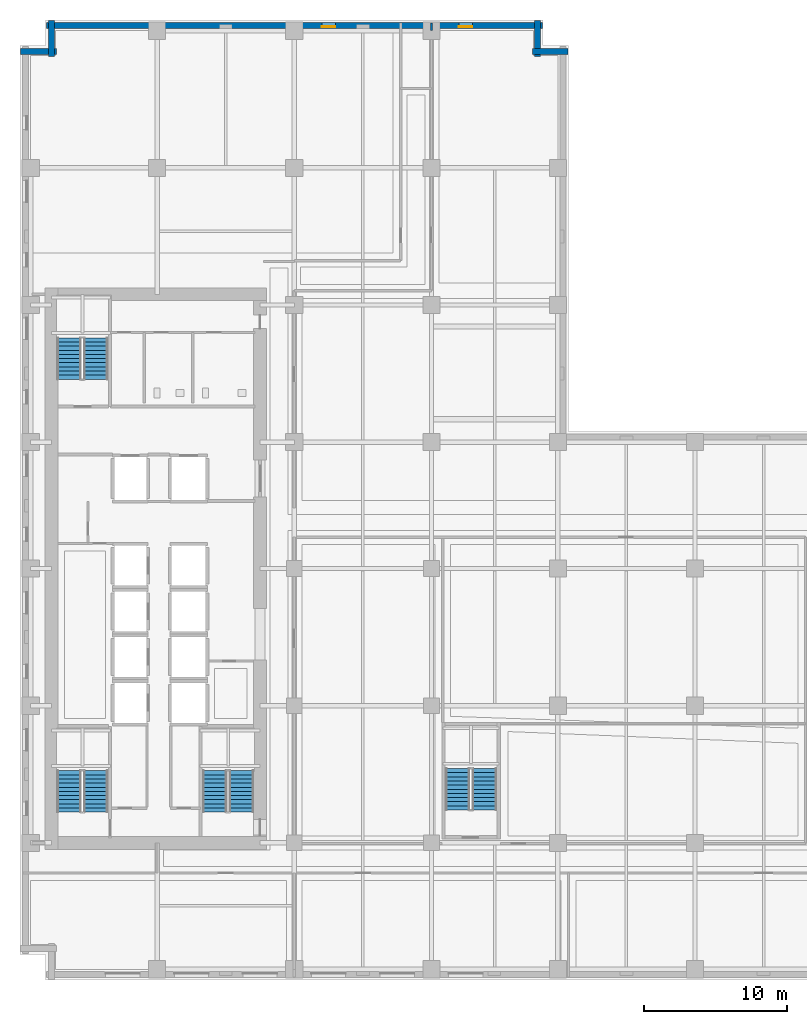
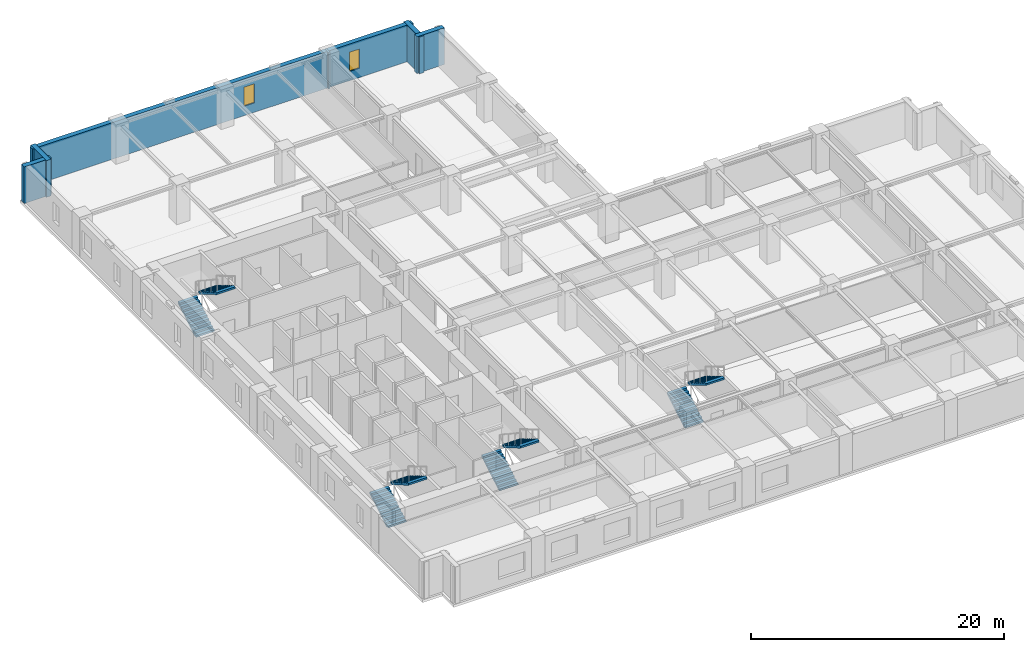
# One storey, part 8 of 13: 8 stair flights, 6 walls, 2 windows, 2 openings, 4 elements without a shape of their own.
"""IFC4 building model written with IfcOpenShell, lengths in metres."""

from ifc_helpers import new_model, si_unit, direction, frame, frame_2d, origin, place, context, subcontext, project, spatial, polyline, rectangle, outline, extrude, material, layer, layer_set, type_object, element, fill, aggregate, save


model = new_model("IFC4")

# Units and contexts
model_context = context("Model", 3, precision=1e-05, world=origin(), true_north=direction((0.0, 1.0)))
body_context = subcontext(model_context, "Body", "Model", "MODEL_VIEW")
ifc_project = project(units=[si_unit("LENGTHUNIT", "METRE"), si_unit("AREAUNIT", "SQUARE_METRE"), si_unit("VOLUMEUNIT", "CUBIC_METRE"), si_unit("PLANEANGLEUNIT", "RADIAN"), si_unit("MASSUNIT", "GRAM", prefix="KILO")], contexts=[model_context])

# Site, building, storey
site_placement = place(None, origin())
site = spatial("IfcSite", under=ifc_project, at=site_placement, CompositionType="ELEMENT")
building_placement = place(site_placement, origin())
building = spatial("IfcBuilding", under=site, at=building_placement, Name="Norrvale University Quadrangle", CompositionType="ELEMENT")
storey_placement = place(building_placement, frame((0.0, 0.0, 54.60009765625)))
storey = spatial("IfcBuildingStorey", under=building, at=storey_placement, Name="L13", CompositionType="ELEMENT", Elevation=54.60009765625)

# Walls
ifc_material_1 = material(Name="Buff Norman Clay Brick Masonry", Category="masonry")
ifc_layer_1 = layer(ifc_material_1, 0.419921875, Name="Buff Norman Clay Brick Masonry")
ifc_layer_set_1 = layer_set([ifc_layer_1], Name="Buff Norman Clay Brick Masonry")
wall_type_1 = type_object("IfcWallType", Name="Wall Buff Brick 420", PredefinedType="SOLIDWALL", material=ifc_layer_set_1)
for number, where, z_axis, x_axis, name in (
    (1, (38.360107421875, 65.010009765625, 0.0), (0.0, 0.0, 1.0), (-1.0, 0.0, 0.0), "Exterior Brick Facade Wall L13-09.1"),
    (2, (36.2099609375, 64.659912109375, 0.0), (0.0, 0.0, 1.0), (0.0, 1.0, 0.0), "Exterior Brick Facade Wall L13-10.1"),
):
    element("IfcWall", number, at=place(storey_placement, frame(where, z_axis=z_axis, x_axis=x_axis)), inside=storey, type_object=wall_type_1, Name=name, PredefinedType="SOLIDWALL", context=body_context, shape_type="SweptSolid", body=[
        extrude(rectangle(XDim=2.5, YDim=0.419921875, at=frame_2d((1.25, 0.0))), origin(), (0.0, 0.0, 1.0), 3.539794921875),
    ])

# Wall, openings, windows
wall_1_placement = place(storey_placement, frame((36.56005859375, 66.81005859375, 0.0), z_axis=(0.0, 0.0, 1.0), x_axis=(-1.0, 0.0, 0.0)))
wall_1 = element("IfcWall", 3, at=wall_1_placement, inside=storey, type_object=wall_type_1, Name="Exterior Brick Facade Wall L13-11.1", PredefinedType="SOLIDWALL", context=body_context, shape_type="SweptSolid", body=[
    extrude(rectangle(XDim=34.719970703125, YDim=0.419921875, at=frame_2d((17.35986328125, 0.0))), origin(), (0.0, 0.0, 1.0), 3.539794921875),
])
opening_1_placement = place(wall_1_placement, frame((4.885009765625, 0.0, 0.89990234375)))
opening_1 = element("IfcOpeningElement", 4, at=opening_1_placement, cuts=wall_1, Name="Opening W04", PredefinedType="OPENING", context=body_context, shape_type="SweptSolid", body=[
    extrude(rectangle(XDim=0.949951171875, YDim=1.85009765625, at=frame_2d((0.47509765625, 0.925048828125))), frame((0.0, 0.221923828125, 0.0), z_axis=(0.0, -1.0, 0.0), x_axis=(1.0, 0.0, 0.0)), (0.0, 0.0, 1.0), 0.44384765625),
])
opening_2_placement = place(wall_1_placement, frame((14.485107421875, 0.0, 0.89990234375)))
opening_2 = element("IfcOpeningElement", 5, at=opening_2_placement, cuts=wall_1, Name="Opening W04", PredefinedType="OPENING", context=body_context, shape_type="SweptSolid", body=[
    extrude(rectangle(XDim=0.949951171875, YDim=1.85009765625, at=frame_2d((0.47509765625, 0.925048828125))), frame((0.0, 0.221923828125, 0.0), z_axis=(0.0, -1.0, 0.0), x_axis=(1.0, 0.0, 0.0)), (0.0, 0.0, 1.0), 0.44384765625),
])
ifc_material_2 = material(Name="Triple Low-E Argon Glazing", Category="glass")
window_type = type_object("IfcWindowType", Name="Window Narrow Pier 950x2300", PartitioningType="SINGLE_PANEL", PredefinedType="WINDOW", material=ifc_material_2)
window_1_placement = place(opening_1_placement, origin())
window_1 = element("IfcWindow", 6, at=window_1_placement, inside=storey, type_object=window_type, Name="Window Narrow Pier 950x2300 WIN-L13-E11-1-01", OverallHeight=1.85009765625, OverallWidth=0.949951171875, PartitioningType="SINGLE_PANEL", PredefinedType="WINDOW", context=body_context, shape_type="SweptSolid", body=[
    extrude(rectangle(XDim=0.949951171875, YDim=1.85009765625, at=frame_2d((0.47509765625, 0.925048828125))), frame((0.0, 0.110107421875, 0.0), z_axis=(0.0, -1.0, 0.0), x_axis=(1.0, 0.0, 0.0)), (0.0, 0.0, 1.0), 0.06005859375),
])
fill(opening_1, window_1)
window_2_placement = place(opening_2_placement, origin())
window_2 = element("IfcWindow", 7, at=window_2_placement, inside=storey, type_object=window_type, Name="Window Narrow Pier 950x2300 WIN-L13-E11-1-02", OverallHeight=1.85009765625, OverallWidth=0.949951171875, PartitioningType="SINGLE_PANEL", PredefinedType="WINDOW", context=body_context, shape_type="SweptSolid", body=[
    extrude(rectangle(XDim=0.949951171875, YDim=1.85009765625, at=frame_2d((0.47509765625, 0.925048828125))), frame((0.0, 0.110107421875, 0.0), z_axis=(0.0, -1.0, 0.0), x_axis=(1.0, 0.0, 0.0)), (0.0, 0.0, 1.0), 0.06005859375),
])
fill(opening_2, window_2)

# Walls
for number, where, z_axis, x_axis, name in (
    (8, (2.18994140625, 67.159912109375, 0.0), (0.0, 0.0, 1.0), (0.0, -1.0, 0.0), "Exterior Brick Facade Wall L13-12.1"),
    (9, (2.5400390625, 65.010009765625, 0.0), (0.0, 0.0, 1.0), (-1.0, 0.0, 0.0), "Exterior Brick Facade Wall L13-13.1"),
):
    element("IfcWall", number, at=place(storey_placement, frame(where, z_axis=z_axis, x_axis=x_axis)), inside=storey, type_object=wall_type_1, Name=name, PredefinedType="SOLIDWALL", context=body_context, shape_type="SweptSolid", body=[
        extrude(rectangle(XDim=2.5, YDim=0.419921875, at=frame_2d((1.25, 0.0))), origin(), (0.0, 0.0, 1.0), 3.539794921875),
    ])
ifc_material_3 = material(Name="Fire-Rated Gypsum Stud Partition")
ifc_layer_2 = layer(ifc_material_3, 0.14990234375, Name="Fire-Rated Gypsum Stud Partition")
ifc_layer_set_2 = layer_set([ifc_layer_2], Name="Fire-Rated Gypsum Stud Partition")
wall_type_2 = type_object("IfcWallType", Name="Wall Gypsum Corridor 150", PredefinedType="PARTITIONING", material=ifc_layer_set_2)
wall_2_placement = place(storey_placement, frame((28.800048828125, 66.449951171875, 0.0), z_axis=(0.0, 0.0, 1.0), x_axis=(0.0, 1.0, 0.0)))
element("IfcWall", 10, at=wall_2_placement, inside=storey, type_object=wall_type_2, Name="Interior Partition WL-L13-NECW-B2", PredefinedType="PARTITIONING", context=body_context, shape_type="SweptSolid", body=[
    extrude(rectangle(XDim=0.530029296875, YDim=0.14990234375, at=frame_2d((0.26513671875, 0.0))), origin(), (0.0, 0.0, 1.0), 3.539794921875),
])

# Stair, stair flights
ifc_material_4 = material(Name="Concrete C40/50", Category="concrete")
stair_type = type_object("IfcStairType", Name="Stair Tower Typ 3800", PredefinedType="TWO_STRAIGHT_RUN_STAIR", material=ifc_material_4)
stair_1_placement = place(storey_placement, origin())
stair_1 = element("IfcStair", 11, at=stair_1_placement, inside=storey, type_object=stair_type, Name="Exit Stair ST-01 L13", PredefinedType="TWO_STRAIGHT_RUN_STAIR")
stair_flight_type = type_object("IfcStairFlightType", Name="Flight Typ 1500", PredefinedType="STRAIGHT", material=ifc_material_4)
stair_flight_1_placement = place(storey_placement, frame((3.429931640625, 11.75, 0.0), z_axis=(0.0, 0.0, 1.0), x_axis=(0.0, 1.0, 0.0)))
stair_flight_1 = element("IfcStairFlight", 12, at=stair_flight_1_placement, type_object=stair_flight_type, Name="Exit Stair ST-01 L13 Lower Flight", NumberOfRisers=11, NumberOfTreads=10, PredefinedType="STRAIGHT", RiserHeight=0.172727, TreadLength=0.29, context=body_context, shape_type="SweptSolid", body=[
    extrude(outline(polyline([(0.0, 0.0), (0.0, 0.172607421875), (0.2900390625, 0.172607421875), (0.2900390625, 0.345458984375), (0.580078125, 0.345458984375), (0.580078125, 0.51806640625), (0.8701171875, 0.51806640625), (0.8701171875, 0.69091796875), (1.159912109375, 0.69091796875), (1.159912109375, 0.863525390625), (1.449951171875, 0.863525390625), (1.449951171875, 1.036376953125), (1.739990234375, 1.036376953125), (1.739990234375, 1.208984375), (2.030029296875, 1.208984375), (2.030029296875, 1.3818359375), (2.320068359375, 1.3818359375), (2.320068359375, 1.554443359375), (2.610107421875, 1.554443359375), (2.610107421875, 1.727294921875), (2.89990234375, 1.727294921875), (2.89990234375, 1.89990234375), (2.89990234375, 1.552734375), (0.29296875, 0.0), (0.0, 0.0)])), frame((0.0, 0.83984375, 0.0), z_axis=(0.0, -1.0, 0.0), x_axis=(1.0, 0.0, 0.0)), (0.0, 0.0, 1.0), 1.679931640625),
])
stair_flight_2_placement = place(storey_placement, frame((5.320068359375, 14.64990234375, 1.89990234375), z_axis=(0.0, 0.0, 1.0), x_axis=(0.0, -1.0, 0.0)))
stair_flight_2 = element("IfcStairFlight", 13, at=stair_flight_2_placement, type_object=stair_flight_type, Name="Exit Stair ST-01 L13 Upper Flight", NumberOfRisers=11, NumberOfTreads=10, PredefinedType="STRAIGHT", RiserHeight=0.172727, TreadLength=0.29, context=body_context, shape_type="SweptSolid", body=[
    extrude(outline(polyline([(0.0, 0.0), (0.0, 0.172607421875), (0.2900390625, 0.172607421875), (0.2900390625, 0.345458984375), (0.580078125, 0.345458984375), (0.580078125, 0.51806640625), (0.8701171875, 0.51806640625), (0.8701171875, 0.69091796875), (1.159912109375, 0.69091796875), (1.159912109375, 0.863525390625), (1.449951171875, 0.863525390625), (1.449951171875, 1.036376953125), (1.739990234375, 1.036376953125), (1.739990234375, 1.208984375), (2.030029296875, 1.208984375), (2.030029296875, 1.3818359375), (2.320068359375, 1.3818359375), (2.320068359375, 1.554443359375), (2.610107421875, 1.554443359375), (2.610107421875, 1.727294921875), (2.89990234375, 1.727294921875), (2.89990234375, 1.89990234375), (2.89990234375, 1.552734375), (0.29296875, 0.0), (0.0, 0.0)])), frame((0.0, 0.83984375, 0.0), z_axis=(0.0, -1.0, 0.0), x_axis=(1.0, 0.0, 0.0)), (0.0, 0.0, 1.0), 1.679931640625),
])
aggregate(stair_1, [stair_flight_1, stair_flight_2])

stair_2_placement = place(storey_placement, origin())
stair_2 = element("IfcStair", 14, at=stair_2_placement, inside=storey, type_object=stair_type, Name="Exit Stair ST-02 L13", PredefinedType="TWO_STRAIGHT_RUN_STAIR")
stair_flight_3_placement = place(storey_placement, frame((3.429931640625, 42.050048828125, 0.0), z_axis=(0.0, 0.0, 1.0), x_axis=(0.0, 1.0, 0.0)))
stair_flight_3 = element("IfcStairFlight", 15, at=stair_flight_3_placement, type_object=stair_flight_type, Name="Exit Stair ST-02 L13 Lower Flight", NumberOfRisers=11, NumberOfTreads=10, PredefinedType="STRAIGHT", RiserHeight=0.172727, TreadLength=0.29, context=body_context, shape_type="SweptSolid", body=[
    extrude(outline(polyline([(0.0, 0.0), (0.0, 0.172607421875), (0.2900390625, 0.172607421875), (0.2900390625, 0.345458984375), (0.580078125, 0.345458984375), (0.580078125, 0.51806640625), (0.8701171875, 0.51806640625), (0.8701171875, 0.69091796875), (1.159912109375, 0.69091796875), (1.159912109375, 0.863525390625), (1.449951171875, 0.863525390625), (1.449951171875, 1.036376953125), (1.739990234375, 1.036376953125), (1.739990234375, 1.208984375), (2.030029296875, 1.208984375), (2.030029296875, 1.3818359375), (2.320068359375, 1.3818359375), (2.320068359375, 1.554443359375), (2.610107421875, 1.554443359375), (2.610107421875, 1.727294921875), (2.89990234375, 1.727294921875), (2.89990234375, 1.89990234375), (2.89990234375, 1.552734375), (0.29296875, 0.0), (0.0, 0.0)])), frame((0.0, 0.83984375, 0.0), z_axis=(0.0, -1.0, 0.0), x_axis=(1.0, 0.0, 0.0)), (0.0, 0.0, 1.0), 1.679931640625),
])
stair_flight_4_placement = place(storey_placement, frame((5.320068359375, 44.949951171875, 1.89990234375), z_axis=(0.0, 0.0, 1.0), x_axis=(0.0, -1.0, 0.0)))
stair_flight_4 = element("IfcStairFlight", 16, at=stair_flight_4_placement, type_object=stair_flight_type, Name="Exit Stair ST-02 L13 Upper Flight", NumberOfRisers=11, NumberOfTreads=10, PredefinedType="STRAIGHT", RiserHeight=0.172727, TreadLength=0.29, context=body_context, shape_type="SweptSolid", body=[
    extrude(outline(polyline([(0.0, 0.0), (0.0, 0.172607421875), (0.2900390625, 0.172607421875), (0.2900390625, 0.345458984375), (0.580078125, 0.345458984375), (0.580078125, 0.51806640625), (0.8701171875, 0.51806640625), (0.8701171875, 0.69091796875), (1.159912109375, 0.69091796875), (1.159912109375, 0.863525390625), (1.449951171875, 0.863525390625), (1.449951171875, 1.036376953125), (1.739990234375, 1.036376953125), (1.739990234375, 1.208984375), (2.030029296875, 1.208984375), (2.030029296875, 1.3818359375), (2.320068359375, 1.3818359375), (2.320068359375, 1.554443359375), (2.610107421875, 1.554443359375), (2.610107421875, 1.727294921875), (2.89990234375, 1.727294921875), (2.89990234375, 1.89990234375), (2.89990234375, 1.552734375), (0.29296875, 0.0), (0.0, 0.0)])), frame((0.0, 0.83984375, 0.0), z_axis=(0.0, -1.0, 0.0), x_axis=(1.0, 0.0, 0.0)), (0.0, 0.0, 1.0), 1.679931640625),
])
aggregate(stair_2, [stair_flight_3, stair_flight_4])

stair_3_placement = place(storey_placement, origin())
stair_3 = element("IfcStair", 17, at=stair_3_placement, inside=storey, type_object=stair_type, Name="Exit Stair ST-03 L13", PredefinedType="TWO_STRAIGHT_RUN_STAIR")
stair_flight_5_placement = place(storey_placement, frame((13.6298828125, 11.75, 0.0), z_axis=(0.0, 0.0, 1.0), x_axis=(0.0, 1.0, 0.0)))
stair_flight_5 = element("IfcStairFlight", 18, at=stair_flight_5_placement, type_object=stair_flight_type, Name="Exit Stair ST-03 L13 Lower Flight", NumberOfRisers=11, NumberOfTreads=10, PredefinedType="STRAIGHT", RiserHeight=0.172727, TreadLength=0.29, context=body_context, shape_type="SweptSolid", body=[
    extrude(outline(polyline([(0.0, 0.0), (0.0, 0.172607421875), (0.2900390625, 0.172607421875), (0.2900390625, 0.345458984375), (0.580078125, 0.345458984375), (0.580078125, 0.51806640625), (0.8701171875, 0.51806640625), (0.8701171875, 0.69091796875), (1.159912109375, 0.69091796875), (1.159912109375, 0.863525390625), (1.449951171875, 0.863525390625), (1.449951171875, 1.036376953125), (1.739990234375, 1.036376953125), (1.739990234375, 1.208984375), (2.030029296875, 1.208984375), (2.030029296875, 1.3818359375), (2.320068359375, 1.3818359375), (2.320068359375, 1.554443359375), (2.610107421875, 1.554443359375), (2.610107421875, 1.727294921875), (2.89990234375, 1.727294921875), (2.89990234375, 1.89990234375), (2.89990234375, 1.552734375), (0.29296875, 0.0), (0.0, 0.0)])), frame((0.0, 0.83984375, 0.0), z_axis=(0.0, -1.0, 0.0), x_axis=(1.0, 0.0, 0.0)), (0.0, 0.0, 1.0), 1.679931640625),
])
stair_flight_6_placement = place(storey_placement, frame((15.52001953125, 14.64990234375, 1.89990234375), z_axis=(0.0, 0.0, 1.0), x_axis=(0.0, -1.0, 0.0)))
stair_flight_6 = element("IfcStairFlight", 19, at=stair_flight_6_placement, type_object=stair_flight_type, Name="Exit Stair ST-03 L13 Upper Flight", NumberOfRisers=11, NumberOfTreads=10, PredefinedType="STRAIGHT", RiserHeight=0.172727, TreadLength=0.29, context=body_context, shape_type="SweptSolid", body=[
    extrude(outline(polyline([(0.0, 0.0), (0.0, 0.172607421875), (0.2900390625, 0.172607421875), (0.2900390625, 0.345458984375), (0.580078125, 0.345458984375), (0.580078125, 0.51806640625), (0.8701171875, 0.51806640625), (0.8701171875, 0.69091796875), (1.159912109375, 0.69091796875), (1.159912109375, 0.863525390625), (1.449951171875, 0.863525390625), (1.449951171875, 1.036376953125), (1.739990234375, 1.036376953125), (1.739990234375, 1.208984375), (2.030029296875, 1.208984375), (2.030029296875, 1.3818359375), (2.320068359375, 1.3818359375), (2.320068359375, 1.554443359375), (2.610107421875, 1.554443359375), (2.610107421875, 1.727294921875), (2.89990234375, 1.727294921875), (2.89990234375, 1.89990234375), (2.89990234375, 1.552734375), (0.29296875, 0.0), (0.0, 0.0)])), frame((0.0, 0.83984375, 0.0), z_axis=(0.0, -1.0, 0.0), x_axis=(1.0, 0.0, 0.0)), (0.0, 0.0, 1.0), 1.679931640625),
])
aggregate(stair_3, [stair_flight_5, stair_flight_6])

stair_4_placement = place(storey_placement, origin())
stair_4 = element("IfcStair", 20, at=stair_4_placement, inside=storey, type_object=stair_type, Name="Exit Stair ST-04 L13", PredefinedType="TWO_STRAIGHT_RUN_STAIR")
stair_flight_7_placement = place(storey_placement, frame((30.6298828125, 11.89990234375, 0.0), z_axis=(0.0, 0.0, 1.0), x_axis=(0.0, 1.0, 0.0)))
stair_flight_7 = element("IfcStairFlight", 21, at=stair_flight_7_placement, type_object=stair_flight_type, Name="Exit Stair ST-04 L13 Lower Flight", NumberOfRisers=11, NumberOfTreads=10, PredefinedType="STRAIGHT", RiserHeight=0.172727, TreadLength=0.29, context=body_context, shape_type="SweptSolid", body=[
    extrude(outline(polyline([(0.0, 0.0), (0.0, 0.172607421875), (0.2900390625, 0.172607421875), (0.2900390625, 0.345458984375), (0.580078125, 0.345458984375), (0.580078125, 0.51806640625), (0.8701171875, 0.51806640625), (0.8701171875, 0.69091796875), (1.159912109375, 0.69091796875), (1.159912109375, 0.863525390625), (1.449951171875, 0.863525390625), (1.449951171875, 1.036376953125), (1.739990234375, 1.036376953125), (1.739990234375, 1.208984375), (2.030029296875, 1.208984375), (2.030029296875, 1.3818359375), (2.320068359375, 1.3818359375), (2.320068359375, 1.554443359375), (2.610107421875, 1.554443359375), (2.610107421875, 1.727294921875), (2.89990234375, 1.727294921875), (2.89990234375, 1.89990234375), (2.89990234375, 1.552734375), (0.29296875, 0.0), (0.0, 0.0)])), frame((0.0, 0.83984375, 0.0), z_axis=(0.0, -1.0, 0.0), x_axis=(1.0, 0.0, 0.0)), (0.0, 0.0, 1.0), 1.679931640625),
])
stair_flight_8_placement = place(storey_placement, frame((32.52001953125, 14.800048828125, 1.89990234375), z_axis=(0.0, 0.0, 1.0), x_axis=(0.0, -1.0, 0.0)))
stair_flight_8 = element("IfcStairFlight", 22, at=stair_flight_8_placement, type_object=stair_flight_type, Name="Exit Stair ST-04 L13 Upper Flight", NumberOfRisers=11, NumberOfTreads=10, PredefinedType="STRAIGHT", RiserHeight=0.172727, TreadLength=0.29, context=body_context, shape_type="SweptSolid", body=[
    extrude(outline(polyline([(0.0, 0.0), (0.0, 0.172607421875), (0.2900390625, 0.172607421875), (0.2900390625, 0.345458984375), (0.580078125, 0.345458984375), (0.580078125, 0.51806640625), (0.8701171875, 0.51806640625), (0.8701171875, 0.69091796875), (1.159912109375, 0.69091796875), (1.159912109375, 0.863525390625), (1.449951171875, 0.863525390625), (1.449951171875, 1.036376953125), (1.739990234375, 1.036376953125), (1.739990234375, 1.208984375), (2.030029296875, 1.208984375), (2.030029296875, 1.3818359375), (2.320068359375, 1.3818359375), (2.320068359375, 1.554443359375), (2.610107421875, 1.554443359375), (2.610107421875, 1.727294921875), (2.89990234375, 1.727294921875), (2.89990234375, 1.89990234375), (2.89990234375, 1.552734375), (0.29296875, 0.0), (0.0, 0.0)])), frame((0.0, 0.83984375, 0.0), z_axis=(0.0, -1.0, 0.0), x_axis=(1.0, 0.0, 0.0)), (0.0, 0.0, 1.0), 1.679931640625),
])
aggregate(stair_4, [stair_flight_7, stair_flight_8])

save(model, "model.ifc")
